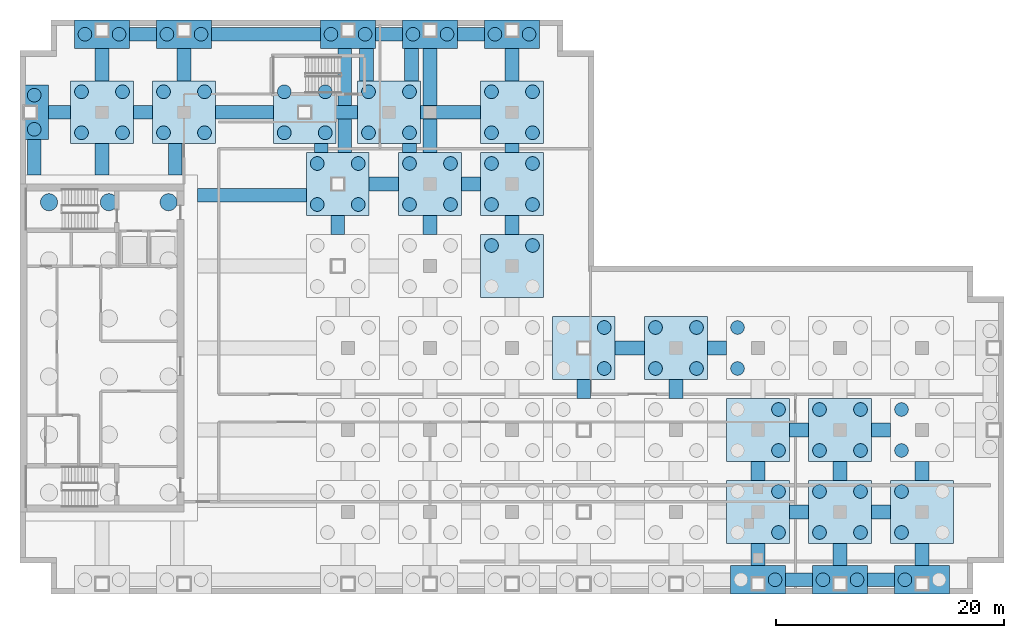
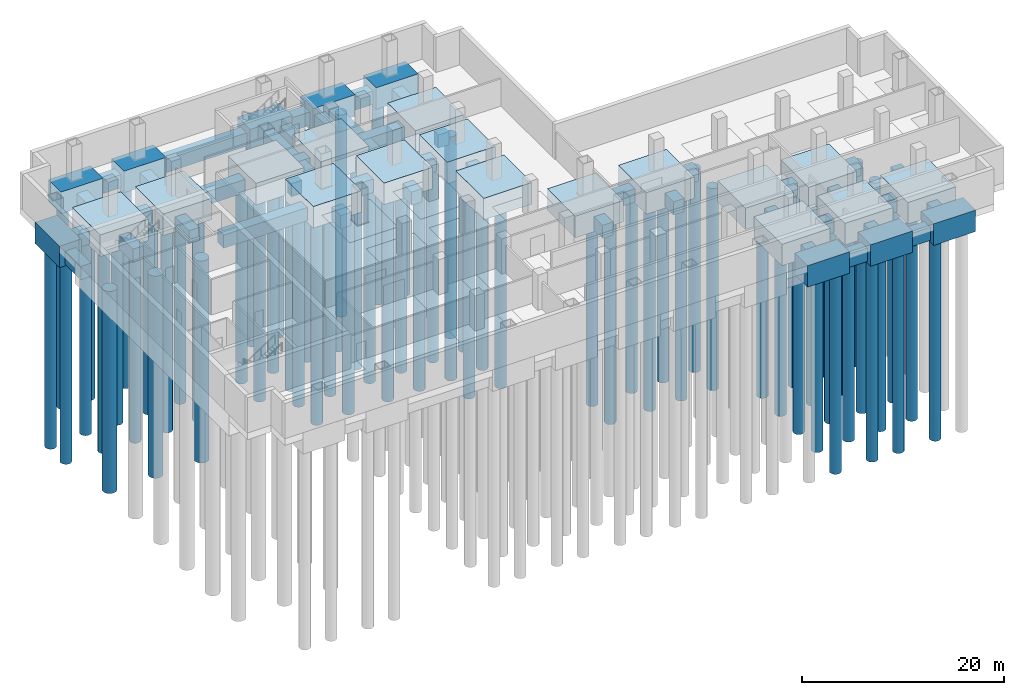
# One storey, part 2 of 11: 77 piles, 69 footings.
"""IFC4 building model written with IfcOpenShell, lengths in metres."""

import ifcopenshell
import ifcopenshell.guid

model = None  # the IFC model being written
_history = None  # IfcOwnerHistory: only IFC2X3 demands one
_inside = {}  # id of a spatial element -> (the spatial element, [elements in it])
_under = {}  # id of a project, library or spatial element -> (it, [spatial elements below it])
_declared = {}  # id of a project -> (the project, [libraries it declares])
_typed = {}  # id of a type object -> (the type object, [elements of that type])
_made_of = {}  # id of a material, layer set ... -> (it, [elements and type objects made of it])


def new_model(schema):
    """Start an empty IFC model of exactly this schema.

    Asked for "IFC4X3", IfcOpenShell would pick the latest addendum, in which some entities
    have other attributes; the version numbers below select the first issue.
    IFC2X3 requires an IfcOwnerHistory on every rooted entity: one is made here for all.
    """
    global model, _history
    if schema == "IFC4X3":
        model = ifcopenshell.file(schema_version=(4, 3, 0, 0))
    else:
        model = ifcopenshell.file(schema=schema)
    _inside.clear()
    _under.clear()
    _declared.clear()
    _typed.clear()
    _made_of.clear()
    _history = None
    if model.schema == "IFC2X3":
        org = make("IfcOrganization", Name="unknown")
        user = make(
            "IfcPersonAndOrganization",
            ThePerson=make("IfcPerson", FamilyName="unknown"),
            TheOrganization=org,
        )
        app = make(
            "IfcApplication",
            ApplicationDeveloper=org,
            Version="unknown",
            ApplicationFullName="unknown",
            ApplicationIdentifier="unknown",
        )
        _history = make(
            "IfcOwnerHistory",
            OwningUser=user,
            OwningApplication=app,
            ChangeAction="ADDED",
            CreationDate=0,
        )
    return model


def make(cls, **values):
    """One entity of the class cls with the attributes given. An attribute that is None is left unset."""
    return model.create_entity(
        cls, **{name: value for name, value in values.items() if value is not None}
    )


def rooted(cls, **values):
    """An entity with a GlobalId (a new one), such as an element, a storey or a relation."""
    return make(cls, GlobalId=ifcopenshell.guid.new(), OwnerHistory=_history, **values)


def si_unit(unit_type, name, prefix=None):
    """IfcSIUnit, for example si_unit("LENGTHUNIT", "METRE", prefix="MILLI")."""
    return make("IfcSIUnit", UnitType=unit_type, Prefix=prefix, Name=name)


def assignment(units):
    """IfcUnitAssignment: the units of a project."""
    return None if units is None else make("IfcUnitAssignment", Units=units)


def point(xyz):
    """IfcCartesianPoint."""
    return None if xyz is None else make("IfcCartesianPoint", Coordinates=xyz)


def direction(xyz):
    """IfcDirection."""
    return None if xyz is None else make("IfcDirection", DirectionRatios=xyz)


def frame(location, z_axis=None, x_axis=None):
    """IfcAxis2Placement3D, a coordinate frame: its origin and axes. An axis left out is left unset."""
    return make(
        "IfcAxis2Placement3D",
        Location=point(location),
        Axis=direction(z_axis),
        RefDirection=direction(x_axis),
    )


def frame_2d(location, x_axis=None):
    """IfcAxis2Placement2D, a coordinate frame in the plane: its origin and x axis."""
    return make(
        "IfcAxis2Placement2D", Location=point(location), RefDirection=direction(x_axis)
    )


def origin():
    """The frame at (0, 0, 0) with its axes left unset."""
    return frame((0.0, 0.0, 0.0))


def origin_2d():
    """The frame at (0, 0) in the plane with its x axis left unset."""
    return frame_2d((0.0, 0.0))


def place(relative_to, where):
    """IfcLocalPlacement: puts the frame where relative to a parent placement (None: the world)."""
    return make(
        "IfcLocalPlacement", PlacementRelTo=relative_to, RelativePlacement=where
    )


def context(
    kind, dimensions, precision=None, world=None, true_north=None, identifier=None
):
    """IfcGeometricRepresentationContext, for example the 3D "Model" context."""
    return make(
        "IfcGeometricRepresentationContext",
        ContextIdentifier=identifier,
        ContextType=kind,
        CoordinateSpaceDimension=dimensions,
        Precision=precision,
        WorldCoordinateSystem=world,
        TrueNorth=true_north,
    )


def subcontext(parent, identifier, kind, view, scale=None):
    """IfcGeometricRepresentationSubContext, for example "Body" below "Model"."""
    return make(
        "IfcGeometricRepresentationSubContext",
        ContextIdentifier=identifier,
        ContextType=kind,
        ParentContext=parent,
        TargetScale=scale,
        TargetView=view,
    )


def project(units=None, contexts=None):
    """IfcProject with its units and contexts."""
    return rooted(
        "IfcProject",
        Name="project",
        RepresentationContexts=contexts,
        UnitsInContext=assignment(units),
    )


def spatial(cls, under=None, at=None, **own):
    """A site, building, storey or space (cls), placed at a placement, below another one or the project."""
    s = rooted(cls, ObjectPlacement=at, **own)
    if under is not None:
        _under.setdefault(under.id(), (under, []))[1].append(s)
    return s


def profile(cls, at=None, kind="AREA", **sizes):
    """A parametric profile (cls). Its sizes go by their IFC names, for example OverallWidth=200.0."""
    return make(cls, ProfileType=kind, Position=at, **sizes)


def rectangle(**sizes):
    """IfcRectangleProfileDef."""
    return profile("IfcRectangleProfileDef", **sizes)


def circle(**sizes):
    """IfcCircleProfileDef."""
    return profile("IfcCircleProfileDef", **sizes)


def extrude(swept, where, along, depth):
    """IfcExtrudedAreaSolid: the profile swept, set in the frame where, extruded along a direction by depth."""
    return make(
        "IfcExtrudedAreaSolid",
        SweptArea=swept,
        Position=where,
        ExtrudedDirection=direction(along),
        Depth=depth,
    )


def shape(context_of_items, identifier, shape_type, items):
    """IfcShapeRepresentation: the items that make up one representation, for example the "Body"."""
    return make(
        "IfcShapeRepresentation",
        ContextOfItems=context_of_items,
        RepresentationIdentifier=identifier,
        RepresentationType=shape_type,
        Items=items,
    )


def material(Name=None, Category=None):
    """IfcMaterial."""
    return make("IfcMaterial", Name=Name, Category=Category)


def material_profile(
    of_material, cross_section, Name=None, Category=None, Priority=None
):
    """IfcMaterialProfile: a cross section and its material."""
    return make(
        "IfcMaterialProfile",
        Name=Name,
        Material=of_material,
        Profile=cross_section,
        Priority=Priority,
        Category=Category,
    )


def profile_set(profiles, Name=None, composite=None):
    """IfcMaterialProfileSet."""
    return make(
        "IfcMaterialProfileSet",
        Name=Name,
        MaterialProfiles=profiles,
        CompositeProfile=composite,
    )


def made_of(thing, what):
    """Note that an element or type object is made of a material, layer set ...; save() writes the relation."""
    if what is not None:
        _made_of.setdefault(what.id(), (what, []))[1].append(thing)
    return thing


def type_object(cls, material=None, **own):
    """A type object (cls), such as IfcWallType, which elements share."""
    return made_of(rooted(cls, **own), material)


def element(
    cls,
    number,
    at=None,
    inside=None,
    cuts=None,
    type_object=None,
    material=None,
    context=None,
    identifier="Body",
    shape_type=None,
    held_by="IfcProductDefinitionShape",
    body=None,
    shapes=None,
    **own,
):
    """One element of the class cls, such as IfcWall. Its Tag is "e" and its number.

    at: its placement. inside: the storey or other place that contains it. cuts: it is an
    opening in that element (IfcRelVoidsElement). A single representation is given by context,
    identifier, shape_type and body (its items); several are given by shapes. held_by: the class
    of the entity that holds the representations. save() writes the other relations.
    """
    e = rooted(cls, Tag="e%d" % number, ObjectPlacement=at, **own)
    if body is not None:
        shapes = [shape(context, identifier, shape_type, body)]
    if shapes is not None:
        e.Representation = make(held_by, Representations=shapes)
    if inside is not None:
        _inside.setdefault(inside.id(), (inside, []))[1].append(e)
    if cuts is not None:
        rooted(
            "IfcRelVoidsElement", RelatingBuildingElement=cuts, RelatedOpeningElement=e
        )
    if type_object is not None:
        _typed.setdefault(type_object.id(), (type_object, []))[1].append(e)
    return made_of(e, material)


def aggregate(whole, parts):
    """IfcRelAggregates: a whole, such as a stair, and the parts it consists of."""
    return rooted("IfcRelAggregates", RelatingObject=whole, RelatedObjects=parts)


def save(model, path):
    """Write the relations noted so far, then the file.

    IfcRelAggregates (storeys below a building ...), IfcRelContainedInSpatialStructure (elements
    in a storey), IfcRelDefinesByType, IfcRelAssociatesMaterial and IfcRelDeclares: one each for
    every whole, place, type object, material and project.
    """
    for whole, parts in _under.values():
        aggregate(whole, parts)
    for where, things in _inside.values():
        rooted(
            "IfcRelContainedInSpatialStructure",
            RelatedElements=things,
            RelatingStructure=where,
        )
    for kind, things in _typed.values():
        rooted("IfcRelDefinesByType", RelatedObjects=things, RelatingType=kind)
    for what, things in _made_of.values():
        rooted("IfcRelAssociatesMaterial", RelatedObjects=things, RelatingMaterial=what)
    for by, libraries in _declared.values():
        rooted("IfcRelDeclares", RelatingContext=by, RelatedDefinitions=libraries)
    model.write(path)


model = new_model("IFC4")

# Units and contexts
model_context = context("Model", 3, precision=1e-05, world=origin(), true_north=direction((0.0, 1.0)))
body_context = subcontext(model_context, "Body", "Model", "MODEL_VIEW")
ifc_project = project(units=[si_unit("LENGTHUNIT", "METRE"), si_unit("AREAUNIT", "SQUARE_METRE"), si_unit("VOLUMEUNIT", "CUBIC_METRE"), si_unit("PLANEANGLEUNIT", "RADIAN"), si_unit("MASSUNIT", "GRAM", prefix="KILO")], contexts=[model_context])

# Site, building, storey
site_placement = place(None, origin())
site = spatial("IfcSite", under=ifc_project, at=site_placement, CompositionType="ELEMENT")
building_placement = place(site_placement, origin())
building = spatial("IfcBuilding", under=site, at=building_placement, Name="Cobrela Telecom Tower", CompositionType="ELEMENT")
storey_placement = place(building_placement, frame((0.0, 0.0, -9.10009765625)))
storey = spatial("IfcBuildingStorey", under=building, at=storey_placement, Name="B2", CompositionType="ELEMENT", Elevation=-9.10009765625)

# Footings
ifc_material = material(Name="Concrete C40/50", Category="concrete")
ifc_material_profile_1 = material_profile(ifc_material, rectangle(XDim=1.199951171875, YDim=1.60009765625, at=origin_2d()), Name="GB 1200x1600")
ifc_profile_set_1 = profile_set([ifc_material_profile_1], Name="Concrete C40/50")
footing_type_1 = type_object("IfcFootingType", Name="FTG-GB-1200", PredefinedType="FOOTING_BEAM", material=ifc_profile_set_1)
footing_1_placement = place(storey_placement, frame((1.25, 36.800048828125, -1.599853515625), z_axis=(0.0, 1.0, 0.0), x_axis=(-1.0, 0.0, 0.0)))
element("IfcFooting", 1, at=footing_1_placement, inside=storey, type_object=footing_type_1, Name="Foundation Tie Grade Beam GB-001", PredefinedType="FOOTING_BEAM", context=body_context, shape_type="SweptSolid", body=[
    extrude(rectangle(XDim=1.199951171875, YDim=1.60009765625, at=origin_2d()), origin(), (0.0, 0.0, 1.0), 3.099853515625),
])
for number, where, z_axis, x_axis, name in (
    (2, (7.199951171875, 36.800048828125, -1.599853515625), (0.0, 1.0, 0.0), (-1.0, 0.0, 0.0), "Foundation Tie Grade Beam GB-003"),
    (3, (13.625, 36.800048828125, -1.599853515625), (0.0, 1.0, 0.0), (-1.0, 0.0, 0.0), "Foundation Tie Grade Beam GB-005"),
):
    element("IfcFooting", number, at=place(storey_placement, frame(where, z_axis=z_axis, x_axis=x_axis)), inside=storey, type_object=footing_type_1, Name=name, PredefinedType="FOOTING_BEAM", context=body_context, shape_type="SweptSolid", body=[
        extrude(rectangle(XDim=1.199951171875, YDim=1.60009765625, at=origin_2d()), origin(), (0.0, 0.0, 1.0), 2.75),
    ])
footing_2_placement = place(storey_placement, frame((15.60009765625, 35.02490234375, -1.599853515625), z_axis=(1.0, 0.0, 0.0), x_axis=(0.0, 1.0, 0.0)))
element("IfcFooting", 4, at=footing_2_placement, inside=storey, type_object=footing_type_1, Name="Foundation Tie Grade Beam GB-007", PredefinedType="FOOTING_BEAM", context=body_context, shape_type="SweptSolid", body=[
    extrude(rectangle(XDim=1.199951171875, YDim=1.60009765625, at=origin_2d()), origin(), (0.0, 0.0, 1.0), 9.5498046875),
])
footing_3_placement = place(storey_placement, frame((2.5, 42.300048828125, -1.599853515625), z_axis=(1.0, 0.0, 0.0), x_axis=(0.0, 1.0, 0.0)))
element("IfcFooting", 5, at=footing_3_placement, inside=storey, type_object=footing_type_1, Name="Foundation Tie Grade Beam GB-011", PredefinedType="FOOTING_BEAM", context=body_context, shape_type="SweptSolid", body=[
    extrude(rectangle(XDim=1.199951171875, YDim=1.60009765625, at=origin_2d()), origin(), (0.0, 0.0, 1.0), 1.949951171875),
])
footing_4_placement = place(storey_placement, frame((7.199951171875, 45.050048828125, -1.599853515625), z_axis=(0.0, 1.0, 0.0), x_axis=(-1.0, 0.0, 0.0)))
element("IfcFooting", 6, at=footing_4_placement, inside=storey, type_object=footing_type_1, Name="Foundation Tie Grade Beam GB-013", PredefinedType="FOOTING_BEAM", context=body_context, shape_type="SweptSolid", body=[
    extrude(rectangle(XDim=1.199951171875, YDim=1.60009765625, at=origin_2d()), origin(), (0.0, 0.0, 1.0), 2.849853515625),
])
footing_5_placement = place(storey_placement, frame((9.949951171875, 42.300048828125, -1.599853515625), z_axis=(1.0, 0.0, 0.0), x_axis=(0.0, 1.0, 0.0)))
element("IfcFooting", 7, at=footing_5_placement, inside=storey, type_object=footing_type_1, Name="Foundation Tie Grade Beam GB-014", PredefinedType="FOOTING_BEAM", context=body_context, shape_type="SweptSolid", body=[
    extrude(rectangle(XDim=1.199951171875, YDim=1.60009765625, at=origin_2d()), origin(), (0.0, 0.0, 1.0), 1.699951171875),
])
footing_6_placement = place(storey_placement, frame((9.60009765625, 49.14990234375, -1.599853515625), z_axis=(1.0, 0.0, 0.0), x_axis=(0.0, 1.0, 0.0)))
element("IfcFooting", 8, at=footing_6_placement, inside=storey, type_object=footing_type_1, Name="Foundation Tie Grade Beam GB-015", PredefinedType="FOOTING_BEAM", context=body_context, shape_type="SweptSolid", body=[
    extrude(rectangle(XDim=1.199951171875, YDim=1.60009765625, at=origin_2d()), origin(), (0.0, 0.0, 1.0), 2.39990234375),
])
footing_7_placement = place(storey_placement, frame((14.39990234375, 45.050048828125, -1.599853515625), z_axis=(0.0, 1.0, 0.0), x_axis=(-1.0, 0.0, 0.0)))
element("IfcFooting", 9, at=footing_7_placement, inside=storey, type_object=footing_type_1, Name="Foundation Tie Grade Beam GB-017", PredefinedType="FOOTING_BEAM", context=body_context, shape_type="SweptSolid", body=[
    extrude(rectangle(XDim=1.199951171875, YDim=1.60009765625, at=origin_2d()), origin(), (0.0, 0.0, 1.0), 2.849853515625),
])
footing_8_placement = place(storey_placement, frame((17.14990234375, 42.300048828125, -1.599853515625), z_axis=(1.0, 0.0, 0.0), x_axis=(0.0, 1.0, 0.0)))
element("IfcFooting", 10, at=footing_8_placement, inside=storey, type_object=footing_type_1, Name="Foundation Tie Grade Beam GB-018", PredefinedType="FOOTING_BEAM", context=body_context, shape_type="SweptSolid", body=[
    extrude(rectangle(XDim=1.199951171875, YDim=1.60009765625, at=origin_2d()), origin(), (0.0, 0.0, 1.0), 5.10009765625),
])
footing_9_placement = place(storey_placement, frame((16.800048828125, 49.14990234375, -1.599853515625), z_axis=(1.0, 0.0, 0.0), x_axis=(0.0, 1.0, 0.0)))
element("IfcFooting", 11, at=footing_9_placement, inside=storey, type_object=footing_type_1, Name="Foundation Tie Grade Beam GB-019", PredefinedType="FOOTING_BEAM", context=body_context, shape_type="SweptSolid", body=[
    extrude(rectangle(XDim=1.199951171875, YDim=1.60009765625, at=origin_2d()), origin(), (0.0, 0.0, 1.0), 9.599853515625),
])
footing_10_placement = place(storey_placement, frame((26.449951171875, 38.75, -1.599853515625), z_axis=(0.0, 1.0, 0.0), x_axis=(-1.0, 0.0, 0.0)))
element("IfcFooting", 12, at=footing_10_placement, inside=storey, type_object=footing_type_1, Name="Foundation Tie Grade Beam GB-020", PredefinedType="FOOTING_BEAM", context=body_context, shape_type="SweptSolid", body=[
    extrude(rectangle(XDim=1.199951171875, YDim=1.60009765625, at=origin_2d()), origin(), (0.0, 0.0, 1.0), 0.800048828125),
])
footing_11_placement = place(storey_placement, frame((27.75, 42.300048828125, -1.599853515625), z_axis=(1.0, 0.0, 0.0), x_axis=(0.0, 1.0, 0.0)))
element("IfcFooting", 13, at=footing_11_placement, inside=storey, type_object=footing_type_1, Name="Foundation Tie Grade Beam GB-021", PredefinedType="FOOTING_BEAM", context=body_context, shape_type="SweptSolid", body=[
    extrude(rectangle(XDim=1.199951171875, YDim=1.60009765625, at=origin_2d()), origin(), (0.0, 0.0, 1.0), 1.89990234375),
])
footing_12_placement = place(storey_placement, frame((27.89990234375, 31.550048828125, -1.599853515625), z_axis=(0.0, 1.0, 0.0), x_axis=(-1.0, 0.0, 0.0)))
element("IfcFooting", 14, at=footing_12_placement, inside=storey, type_object=footing_type_1, Name="Foundation Tie Grade Beam GB-022", PredefinedType="FOOTING_BEAM", context=body_context, shape_type="SweptSolid", body=[
    extrude(rectangle(XDim=1.199951171875, YDim=1.60009765625, at=origin_2d()), origin(), (0.0, 0.0, 1.0), 1.699951171875),
])
footing_13_placement = place(storey_placement, frame((28.52490234375, 38.75, -1.599853515625), z_axis=(0.0, 1.0, 0.0), x_axis=(-1.0, 0.0, 0.0)))
element("IfcFooting", 15, at=footing_13_placement, inside=storey, type_object=footing_type_1, Name="Foundation Tie Grade Beam GB-025", PredefinedType="FOOTING_BEAM", context=body_context, shape_type="SweptSolid", body=[
    extrude(rectangle(XDim=1.199951171875, YDim=1.60009765625, at=origin_2d()), origin(), (0.0, 0.0, 1.0), 9.14990234375),
])
footing_14_placement = place(storey_placement, frame((30.64990234375, 36.0, -1.599853515625), z_axis=(1.0, 0.0, 0.0), x_axis=(0.0, 1.0, 0.0)))
element("IfcFooting", 16, at=footing_14_placement, inside=storey, type_object=footing_type_1, Name="Foundation Tie Grade Beam GB-026", PredefinedType="FOOTING_BEAM", context=body_context, shape_type="SweptSolid", body=[
    extrude(rectangle(XDim=1.199951171875, YDim=1.60009765625, at=origin_2d()), origin(), (0.0, 0.0, 1.0), 2.60009765625),
])
footing_15_placement = place(storey_placement, frame((30.425048828125, 45.050048828125, -1.599853515625), z_axis=(0.0, 1.0, 0.0), x_axis=(-1.0, 0.0, 0.0)))
element("IfcFooting", 17, at=footing_15_placement, inside=storey, type_object=footing_type_1, Name="Foundation Tie Grade Beam GB-034", PredefinedType="FOOTING_BEAM", context=body_context, shape_type="SweptSolid", body=[
    extrude(rectangle(XDim=1.199951171875, YDim=1.60009765625, at=origin_2d()), origin(), (0.0, 0.0, 1.0), 2.849853515625),
])
footing_16_placement = place(storey_placement, frame((31.199951171875, 49.14990234375, -1.599853515625), z_axis=(1.0, 0.0, 0.0), x_axis=(0.0, 1.0, 0.0)))
element("IfcFooting", 18, at=footing_16_placement, inside=storey, type_object=footing_type_1, Name="Foundation Tie Grade Beam GB-035", PredefinedType="FOOTING_BEAM", context=body_context, shape_type="SweptSolid", body=[
    extrude(rectangle(XDim=1.199951171875, YDim=1.60009765625, at=origin_2d()), origin(), (0.0, 0.0, 1.0), 2.400146484375),
])
footing_17_placement = place(storey_placement, frame((34.199951171875, 38.75, -1.599853515625), z_axis=(0.0, 1.0, 0.0), x_axis=(-1.0, 0.0, 0.0)))
element("IfcFooting", 19, at=footing_17_placement, inside=storey, type_object=footing_type_1, Name="Foundation Tie Grade Beam GB-036", PredefinedType="FOOTING_BEAM", context=body_context, shape_type="SweptSolid", body=[
    extrude(rectangle(XDim=1.199951171875, YDim=1.60009765625, at=origin_2d()), origin(), (0.0, 0.0, 1.0), 0.800048828125),
])
footing_18_placement = place(storey_placement, frame((34.375, 45.050048828125, -1.599853515625), z_axis=(0.0, 1.0, 0.0), x_axis=(-1.0, 0.0, 0.0)))
element("IfcFooting", 20, at=footing_18_placement, inside=storey, type_object=footing_type_1, Name="Foundation Tie Grade Beam GB-037", PredefinedType="FOOTING_BEAM", context=body_context, shape_type="SweptSolid", body=[
    extrude(rectangle(XDim=1.199951171875, YDim=1.60009765625, at=origin_2d()), origin(), (0.0, 0.0, 1.0), 2.849853515625),
])
footing_19_placement = place(storey_placement, frame((35.14990234375, 42.300048828125, -1.599853515625), z_axis=(1.0, 0.0, 0.0), x_axis=(0.0, 1.0, 0.0)))
element("IfcFooting", 21, at=footing_19_placement, inside=storey, type_object=footing_type_1, Name="Foundation Tie Grade Beam GB-038", PredefinedType="FOOTING_BEAM", context=body_context, shape_type="SweptSolid", body=[
    extrude(rectangle(XDim=1.199951171875, YDim=1.60009765625, at=origin_2d()), origin(), (0.0, 0.0, 1.0), 5.300048828125),
])
footing_20_placement = place(storey_placement, frame((36.0, 31.550048828125, -1.599853515625), z_axis=(0.0, 1.0, 0.0), x_axis=(-1.0, 0.0, 0.0)))
element("IfcFooting", 22, at=footing_20_placement, inside=storey, type_object=footing_type_1, Name="Foundation Tie Grade Beam GB-047", PredefinedType="FOOTING_BEAM", context=body_context, shape_type="SweptSolid", body=[
    extrude(rectangle(XDim=1.199951171875, YDim=1.60009765625, at=origin_2d()), origin(), (0.0, 0.0, 1.0), 1.699951171875),
])
footing_21_placement = place(storey_placement, frame((36.0, 38.75, -1.599853515625), z_axis=(0.0, 1.0, 0.0), x_axis=(-1.0, 0.0, 0.0)))
element("IfcFooting", 23, at=footing_21_placement, inside=storey, type_object=footing_type_1, Name="Foundation Tie Grade Beam GB-049", PredefinedType="FOOTING_BEAM", context=body_context, shape_type="SweptSolid", body=[
    extrude(rectangle(XDim=1.199951171875, YDim=1.60009765625, at=origin_2d()), origin(), (0.0, 0.0, 1.0), 9.14990234375),
])
footing_22_placement = place(storey_placement, frame((38.75, 36.0, -1.599853515625), z_axis=(1.0, 0.0, 0.0), x_axis=(0.0, 1.0, 0.0)))
element("IfcFooting", 24, at=footing_22_placement, inside=storey, type_object=footing_type_1, Name="Foundation Tie Grade Beam GB-050", PredefinedType="FOOTING_BEAM", context=body_context, shape_type="SweptSolid", body=[
    extrude(rectangle(XDim=1.199951171875, YDim=1.60009765625, at=origin_2d()), origin(), (0.0, 0.0, 1.0), 1.699951171875),
])
footing_23_placement = place(storey_placement, frame((38.39990234375, 49.14990234375, -1.599853515625), z_axis=(1.0, 0.0, 0.0), x_axis=(0.0, 1.0, 0.0)))
element("IfcFooting", 25, at=footing_23_placement, inside=storey, type_object=footing_type_1, Name="Foundation Tie Grade Beam GB-051", PredefinedType="FOOTING_BEAM", context=body_context, shape_type="SweptSolid", body=[
    extrude(rectangle(XDim=1.199951171875, YDim=1.60009765625, at=origin_2d()), origin(), (0.0, 0.0, 1.0), 2.400146484375),
])
footing_24_placement = place(storey_placement, frame((43.199951171875, 31.550048828125, -1.599853515625), z_axis=(0.0, 1.0, 0.0), x_axis=(-1.0, 0.0, 0.0)))
element("IfcFooting", 26, at=footing_24_placement, inside=storey, type_object=footing_type_1, Name="Foundation Tie Grade Beam GB-060", PredefinedType="FOOTING_BEAM", context=body_context, shape_type="SweptSolid", body=[
    extrude(rectangle(XDim=1.199951171875, YDim=1.60009765625, at=origin_2d()), origin(), (0.0, 0.0, 1.0), 1.699951171875),
])
footing_25_placement = place(storey_placement, frame((43.199951171875, 38.75, -1.599853515625), z_axis=(0.0, 1.0, 0.0), x_axis=(-1.0, 0.0, 0.0)))
element("IfcFooting", 27, at=footing_25_placement, inside=storey, type_object=footing_type_1, Name="Foundation Tie Grade Beam GB-061", PredefinedType="FOOTING_BEAM", context=body_context, shape_type="SweptSolid", body=[
    extrude(rectangle(XDim=1.199951171875, YDim=1.60009765625, at=origin_2d()), origin(), (0.0, 0.0, 1.0), 0.800048828125),
])
footing_26_placement = place(storey_placement, frame((43.199951171875, 45.050048828125, -1.599853515625), z_axis=(0.0, 1.0, 0.0), x_axis=(-1.0, 0.0, 0.0)))
element("IfcFooting", 28, at=footing_26_placement, inside=storey, type_object=footing_type_1, Name="Foundation Tie Grade Beam GB-062", PredefinedType="FOOTING_BEAM", context=body_context, shape_type="SweptSolid", body=[
    extrude(rectangle(XDim=1.199951171875, YDim=1.60009765625, at=origin_2d()), origin(), (0.0, 0.0, 1.0), 2.849853515625),
])
footing_27_placement = place(storey_placement, frame((49.5, 17.14990234375, -1.599853515625), z_axis=(0.0, 1.0, 0.0), x_axis=(-1.0, 0.0, 0.0)))
element("IfcFooting", 29, at=footing_27_placement, inside=storey, type_object=footing_type_1, Name="Foundation Tie Grade Beam GB-067", PredefinedType="FOOTING_BEAM", context=body_context, shape_type="SweptSolid", body=[
    extrude(rectangle(XDim=1.199951171875, YDim=1.60009765625, at=origin_2d()), origin(), (0.0, 0.0, 1.0), 1.7001953125),
])
footing_28_placement = place(storey_placement, frame((52.25, 21.60009765625, -1.599853515625), z_axis=(1.0, 0.0, 0.0), x_axis=(0.0, 1.0, 0.0)))
element("IfcFooting", 30, at=footing_28_placement, inside=storey, type_object=footing_type_1, Name="Foundation Tie Grade Beam GB-069", PredefinedType="FOOTING_BEAM", context=body_context, shape_type="SweptSolid", body=[
    extrude(rectangle(XDim=1.199951171875, YDim=1.60009765625, at=origin_2d()), origin(), (0.0, 0.0, 1.0), 2.60009765625),
])
footing_29_placement = place(storey_placement, frame((57.60009765625, 17.14990234375, -1.599853515625), z_axis=(0.0, 1.0, 0.0), x_axis=(-1.0, 0.0, 0.0)))
element("IfcFooting", 31, at=footing_29_placement, inside=storey, type_object=footing_type_1, Name="Foundation Tie Grade Beam GB-074", PredefinedType="FOOTING_BEAM", context=body_context, shape_type="SweptSolid", body=[
    extrude(rectangle(XDim=1.199951171875, YDim=1.60009765625, at=origin_2d()), origin(), (0.0, 0.0, 1.0), 1.7001953125),
])
footing_30_placement = place(storey_placement, frame((60.35009765625, 21.60009765625, -1.599853515625), z_axis=(1.0, 0.0, 0.0), x_axis=(0.0, 1.0, 0.0)))
element("IfcFooting", 32, at=footing_30_placement, inside=storey, type_object=footing_type_1, Name="Foundation Tie Grade Beam GB-076", PredefinedType="FOOTING_BEAM", context=body_context, shape_type="SweptSolid", body=[
    extrude(rectangle(XDim=1.199951171875, YDim=1.60009765625, at=origin_2d()), origin(), (0.0, 0.0, 1.0), 1.699951171875),
])
footing_31_placement = place(storey_placement, frame((64.800048828125, 2.5, -1.599853515625), z_axis=(0.0, 1.0, 0.0), x_axis=(-1.0, 0.0, 0.0)))
element("IfcFooting", 33, at=footing_31_placement, inside=storey, type_object=footing_type_1, Name="Foundation Tie Grade Beam GB-077", PredefinedType="FOOTING_BEAM", context=body_context, shape_type="SweptSolid", body=[
    extrude(rectangle(XDim=1.199951171875, YDim=1.60009765625, at=origin_2d()), origin(), (0.0, 0.0, 1.0), 1.949951171875),
])
footing_32_placement = place(storey_placement, frame((67.199951171875, 1.25, -1.599853515625), z_axis=(1.0, 0.0, 0.0), x_axis=(0.0, 1.0, 0.0)))
element("IfcFooting", 34, at=footing_32_placement, inside=storey, type_object=footing_type_1, Name="Foundation Tie Grade Beam GB-078", PredefinedType="FOOTING_BEAM", context=body_context, shape_type="SweptSolid", body=[
    extrude(rectangle(XDim=1.199951171875, YDim=1.60009765625, at=origin_2d()), origin(), (0.0, 0.0, 1.0), 2.400146484375),
])
for number, where, z_axis, x_axis, name in (
    (35, (64.800048828125, 9.949951171875, -1.599853515625), (0.0, 1.0, 0.0), (-1.0, 0.0, 0.0), "Foundation Tie Grade Beam GB-079"),
    (36, (67.550048828125, 7.199951171875, -1.599853515625), (1.0, 0.0, 0.0), (0.0, 1.0, 0.0), "Foundation Tie Grade Beam GB-080"),
    (37, (67.550048828125, 14.39990234375, -1.599853515625), (1.0, 0.0, 0.0), (0.0, 1.0, 0.0), "Foundation Tie Grade Beam GB-082"),
):
    element("IfcFooting", number, at=place(storey_placement, frame(where, z_axis=z_axis, x_axis=x_axis)), inside=storey, type_object=footing_type_1, Name=name, PredefinedType="FOOTING_BEAM", context=body_context, shape_type="SweptSolid", body=[
        extrude(rectangle(XDim=1.199951171875, YDim=1.60009765625, at=origin_2d()), origin(), (0.0, 0.0, 1.0), 1.699951171875),
    ])
footing_33_placement = place(storey_placement, frame((72.0, 2.5, -1.599853515625), z_axis=(0.0, 1.0, 0.0), x_axis=(-1.0, 0.0, 0.0)))
element("IfcFooting", 38, at=footing_33_placement, inside=storey, type_object=footing_type_1, Name="Foundation Tie Grade Beam GB-084", PredefinedType="FOOTING_BEAM", context=body_context, shape_type="SweptSolid", body=[
    extrude(rectangle(XDim=1.199951171875, YDim=1.60009765625, at=origin_2d()), origin(), (0.0, 0.0, 1.0), 1.949951171875),
])
footing_34_placement = place(storey_placement, frame((74.39990234375, 1.25, -1.599853515625), z_axis=(1.0, 0.0, 0.0), x_axis=(0.0, 1.0, 0.0)))
element("IfcFooting", 39, at=footing_34_placement, inside=storey, type_object=footing_type_1, Name="Foundation Tie Grade Beam GB-085", PredefinedType="FOOTING_BEAM", context=body_context, shape_type="SweptSolid", body=[
    extrude(rectangle(XDim=1.199951171875, YDim=1.60009765625, at=origin_2d()), origin(), (0.0, 0.0, 1.0), 2.400146484375),
])
for number, where, z_axis, x_axis, name in (
    (40, (72.0, 9.949951171875, -1.599853515625), (0.0, 1.0, 0.0), (-1.0, 0.0, 0.0), "Foundation Tie Grade Beam GB-086"),
    (41, (74.75, 7.199951171875, -1.599853515625), (1.0, 0.0, 0.0), (0.0, 1.0, 0.0), "Foundation Tie Grade Beam GB-087"),
    (42, (74.75, 14.39990234375, -1.599853515625), (1.0, 0.0, 0.0), (0.0, 1.0, 0.0), "Foundation Tie Grade Beam GB-089"),
):
    element("IfcFooting", number, at=place(storey_placement, frame(where, z_axis=z_axis, x_axis=x_axis)), inside=storey, type_object=footing_type_1, Name=name, PredefinedType="FOOTING_BEAM", context=body_context, shape_type="SweptSolid", body=[
        extrude(rectangle(XDim=1.199951171875, YDim=1.60009765625, at=origin_2d()), origin(), (0.0, 0.0, 1.0), 1.699951171875),
    ])
footing_35_placement = place(storey_placement, frame((79.199951171875, 2.5, -1.599853515625), z_axis=(0.0, 1.0, 0.0), x_axis=(-1.0, 0.0, 0.0)))
element("IfcFooting", 43, at=footing_35_placement, inside=storey, type_object=footing_type_1, Name="Foundation Tie Grade Beam GB-091", PredefinedType="FOOTING_BEAM", context=body_context, shape_type="SweptSolid", body=[
    extrude(rectangle(XDim=1.199951171875, YDim=1.60009765625, at=origin_2d()), origin(), (0.0, 0.0, 1.0), 1.949951171875),
])
footing_36_placement = place(storey_placement, frame((79.199951171875, 9.949951171875, -1.599853515625), z_axis=(0.0, 1.0, 0.0), x_axis=(-1.0, 0.0, 0.0)))
element("IfcFooting", 44, at=footing_36_placement, inside=storey, type_object=footing_type_1, Name="Foundation Tie Grade Beam GB-092", PredefinedType="FOOTING_BEAM", context=body_context, shape_type="SweptSolid", body=[
    extrude(rectangle(XDim=1.199951171875, YDim=1.60009765625, at=origin_2d()), origin(), (0.0, 0.0, 1.0), 1.699951171875),
])
footing_type_2 = type_object("IfcFootingType", Name="FTG-PC-2P-EW", PredefinedType="PILE_CAP", material=ifc_material)
for number, where, z_axis, x_axis, name in (
    (45, (7.199951171875, 49.14990234375, -2.599853515625), (0.0, 0.0, 1.0), (1.0, 0.0, 0.0), "Reinforced Concrete Pile Cap FTG-PC-04"),
    (46, (14.39990234375, 49.14990234375, -2.599853515625), (0.0, 0.0, 1.0), (1.0, 0.0, 0.0), "Reinforced Concrete Pile Cap FTG-PC-07"),
    (47, (28.800048828125, 49.14990234375, -2.599853515625), (0.0, 0.0, 1.0), (1.0, 0.0, 0.0), "Reinforced Concrete Pile Cap FTG-PC-15"),
    (48, (36.0, 49.14990234375, -2.599853515625), (0.0, 0.0, 1.0), (1.0, 0.0, 0.0), "Reinforced Concrete Pile Cap FTG-PC-24"),
    (49, (43.199951171875, 49.14990234375, -2.599853515625), (0.0, 0.0, 1.0), (1.0, 0.0, 0.0), "Reinforced Concrete Pile Cap FTG-PC-32"),
    (50, (64.800048828125, 1.25, -2.599853515625), (0.0, 0.0, 1.0), (1.0, 0.0, 0.0), "Reinforced Concrete Pile Cap FTG-PC-41"),
    (51, (72.0, 1.25, -2.599853515625), (0.0, 0.0, 1.0), (1.0, 0.0, 0.0), "Reinforced Concrete Pile Cap FTG-PC-45"),
    (52, (79.199951171875, 1.25, -2.599853515625), (0.0, 0.0, 1.0), (1.0, 0.0, 0.0), "Reinforced Concrete Pile Cap FTG-PC-49"),
):
    element("IfcFooting", number, at=place(storey_placement, frame(where, z_axis=z_axis, x_axis=x_axis)), inside=storey, type_object=footing_type_2, Name=name, PredefinedType="PILE_CAP", context=body_context, shape_type="SweptSolid", body=[
        extrude(rectangle(XDim=4.800048828125, YDim=2.5, at=origin_2d()), origin(), (0.0, 0.0, 1.0), 2.60009765625),
    ])
footing_type_3 = type_object("IfcFootingType", Name="FTG-PC-2P-NS", PredefinedType="PILE_CAP", material=ifc_material)
footing_37_placement = place(storey_placement, frame((1.25, 42.300048828125, -2.599853515625), z_axis=(0.0, 0.0, 1.0), x_axis=(1.0, 0.0, 0.0)))
element("IfcFooting", 53, at=footing_37_placement, inside=storey, type_object=footing_type_3, Name="Reinforced Concrete Pile Cap FTG-PC-01", PredefinedType="PILE_CAP", context=body_context, shape_type="SweptSolid", body=[
    extrude(rectangle(XDim=2.5, YDim=4.800048828125, at=origin_2d()), origin(), (0.0, 0.0, 1.0), 2.60009765625),
])
footing_type_4 = type_object("IfcFootingType", Name="FTG-PC-4P", PredefinedType="PILE_CAP", material=ifc_material)
for number, where, z_axis, x_axis, name in (
    (54, (7.199951171875, 42.300048828125, -2.599853515625), (0.0, 0.0, 1.0), (1.0, 0.0, 0.0), "Reinforced Concrete Pile Cap FTG-PC-03"),
    (55, (14.39990234375, 42.300048828125, -2.599853515625), (0.0, 0.0, 1.0), (1.0, 0.0, 0.0), "Reinforced Concrete Pile Cap FTG-PC-06"),
    (56, (25.0, 42.300048828125, -2.599853515625), (0.0, 0.0, 1.0), (1.0, 0.0, 0.0), "Reinforced Concrete Pile Cap FTG-PC-08"),
    (57, (27.89990234375, 36.0, -2.599853515625), (0.0, 0.0, 1.0), (1.0, 0.0, 0.0), "Reinforced Concrete Pile Cap FTG-PC-10"),
    (58, (32.39990234375, 42.300048828125, -2.599853515625), (0.0, 0.0, 1.0), (1.0, 0.0, 0.0), "Reinforced Concrete Pile Cap FTG-PC-16"),
    (59, (36.0, 36.0, -2.599853515625), (0.0, 0.0, 1.0), (1.0, 0.0, 0.0), "Reinforced Concrete Pile Cap FTG-PC-22"),
    (60, (43.199951171875, 28.800048828125, -2.599853515625), (0.0, 0.0, 1.0), (1.0, 0.0, 0.0), "Reinforced Concrete Pile Cap FTG-PC-29"),
    (61, (43.199951171875, 36.0, -2.599853515625), (0.0, 0.0, 1.0), (1.0, 0.0, 0.0), "Reinforced Concrete Pile Cap FTG-PC-30"),
    (62, (43.199951171875, 42.300048828125, -2.599853515625), (0.0, 0.0, 1.0), (1.0, 0.0, 0.0), "Reinforced Concrete Pile Cap FTG-PC-31"),
    (63, (49.5, 21.60009765625, -2.599853515625), (0.0, 0.0, 1.0), (1.0, 0.0, 0.0), "Reinforced Concrete Pile Cap FTG-PC-36"),
    (64, (57.60009765625, 21.60009765625, -2.599853515625), (0.0, 0.0, 1.0), (1.0, 0.0, 0.0), "Reinforced Concrete Pile Cap FTG-PC-40"),
    (65, (64.800048828125, 7.199951171875, -2.599853515625), (0.0, 0.0, 1.0), (1.0, 0.0, 0.0), "Reinforced Concrete Pile Cap FTG-PC-42"),
    (66, (64.800048828125, 14.39990234375, -2.599853515625), (0.0, 0.0, 1.0), (1.0, 0.0, 0.0), "Reinforced Concrete Pile Cap FTG-PC-43"),
    (67, (72.0, 7.199951171875, -2.599853515625), (0.0, 0.0, 1.0), (1.0, 0.0, 0.0), "Reinforced Concrete Pile Cap FTG-PC-46"),
    (68, (72.0, 14.39990234375, -2.599853515625), (0.0, 0.0, 1.0), (1.0, 0.0, 0.0), "Reinforced Concrete Pile Cap FTG-PC-47"),
    (69, (79.199951171875, 7.199951171875, -2.599853515625), (0.0, 0.0, 1.0), (1.0, 0.0, 0.0), "Reinforced Concrete Pile Cap FTG-PC-50"),
):
    element("IfcFooting", number, at=place(storey_placement, frame(where, z_axis=z_axis, x_axis=x_axis)), inside=storey, type_object=footing_type_4, Name=name, PredefinedType="PILE_CAP", context=body_context, shape_type="SweptSolid", body=[
        extrude(rectangle(XDim=5.5, YDim=5.5, at=origin_2d()), origin(), (0.0, 0.0, 1.0), 2.60009765625),
    ])

# Piles
ifc_material_profile_2 = material_profile(ifc_material, circle(Radius=0.60009765625, at=origin_2d()), Name="BORED PILE D1200")
ifc_profile_set_2 = profile_set([ifc_material_profile_2], Name="Concrete C40/50")
pile_type_1 = type_object("IfcPileType", Name="PILE-BORED-1200", PredefinedType="BORED", material=ifc_profile_set_2)
for number, where, z_axis, x_axis, name in (
    (70, (1.25, 40.800048828125, -2.5), (0.0, 0.0, -1.0), (1.0, 0.0, 0.0), "Bored Pile P2-019"),
    (71, (1.25, 43.800048828125, -2.5), (0.0, 0.0, -1.0), (1.0, 0.0, 0.0), "Bored Pile P2-020"),
    (72, (5.39990234375, 40.5, -2.5), (0.0, 0.0, -1.0), (1.0, 0.0, 0.0), "Bored Pile P2-023"),
    (73, (9.0, 40.5, -2.5), (0.0, 0.0, -1.0), (1.0, 0.0, 0.0), "Bored Pile P2-024"),
    (74, (5.39990234375, 44.10009765625, -2.5), (0.0, 0.0, -1.0), (1.0, 0.0, 0.0), "Bored Pile P2-025"),
    (75, (9.0, 44.10009765625, -2.5), (0.0, 0.0, -1.0), (1.0, 0.0, 0.0), "Bored Pile P2-026"),
    (76, (5.699951171875, 49.14990234375, -2.5), (0.0, 0.0, -1.0), (1.0, 0.0, 0.0), "Bored Pile P2-027"),
    (77, (8.699951171875, 49.14990234375, -2.5), (0.0, 0.0, -1.0), (1.0, 0.0, 0.0), "Bored Pile P2-028"),
    (78, (12.60009765625, 40.5, -2.5), (0.0, 0.0, -1.0), (1.0, 0.0, 0.0), "Bored Pile P2-031"),
    (79, (16.199951171875, 40.5, -2.5), (0.0, 0.0, -1.0), (1.0, 0.0, 0.0), "Bored Pile P2-032"),
    (80, (12.60009765625, 44.10009765625, -2.5), (0.0, 0.0, -1.0), (1.0, 0.0, 0.0), "Bored Pile P2-033"),
    (81, (16.199951171875, 44.10009765625, -2.5), (0.0, 0.0, -1.0), (1.0, 0.0, 0.0), "Bored Pile P2-034"),
    (82, (12.89990234375, 49.14990234375, -2.5), (0.0, 0.0, -1.0), (1.0, 0.0, 0.0), "Bored Pile P2-035"),
    (83, (15.89990234375, 49.14990234375, -2.5), (0.0, 0.0, -1.0), (1.0, 0.0, 0.0), "Bored Pile P2-036"),
    (84, (23.199951171875, 40.5, -2.5), (0.0, 0.0, -1.0), (1.0, 0.0, 0.0), "Bored Pile P2-037"),
    (85, (26.800048828125, 40.5, -2.5), (0.0, 0.0, -1.0), (1.0, 0.0, 0.0), "Bored Pile P2-038"),
    (86, (23.199951171875, 44.10009765625, -2.5), (0.0, 0.0, -1.0), (1.0, 0.0, 0.0), "Bored Pile P2-039"),
    (87, (26.800048828125, 44.10009765625, -2.5), (0.0, 0.0, -1.0), (1.0, 0.0, 0.0), "Bored Pile P2-040"),
    (88, (26.10009765625, 34.199951171875, -2.5), (0.0, 0.0, -1.0), (1.0, 0.0, 0.0), "Bored Pile P2-045"),
    (89, (29.699951171875, 34.199951171875, -2.5), (0.0, 0.0, -1.0), (1.0, 0.0, 0.0), "Bored Pile P2-046"),
    (90, (26.10009765625, 37.800048828125, -2.5), (0.0, 0.0, -1.0), (1.0, 0.0, 0.0), "Bored Pile P2-047"),
    (91, (29.699951171875, 37.800048828125, -2.5), (0.0, 0.0, -1.0), (1.0, 0.0, 0.0), "Bored Pile P2-048"),
    (92, (27.300048828125, 49.14990234375, -2.5), (0.0, 0.0, -1.0), (1.0, 0.0, 0.0), "Bored Pile P2-063"),
    (93, (30.300048828125, 49.14990234375, -2.5), (0.0, 0.0, -1.0), (1.0, 0.0, 0.0), "Bored Pile P2-064"),
    (94, (30.60009765625, 40.5, -2.5), (0.0, 0.0, -1.0), (1.0, 0.0, 0.0), "Bored Pile P2-065"),
    (95, (34.199951171875, 40.5, -2.5), (0.0, 0.0, -1.0), (1.0, 0.0, 0.0), "Bored Pile P2-066"),
    (96, (30.60009765625, 44.10009765625, -2.5), (0.0, 0.0, -1.0), (1.0, 0.0, 0.0), "Bored Pile P2-067"),
    (97, (34.199951171875, 44.10009765625, -2.5), (0.0, 0.0, -1.0), (1.0, 0.0, 0.0), "Bored Pile P2-068"),
    (98, (34.199951171875, 34.199951171875, -2.5), (0.0, 0.0, -1.0), (1.0, 0.0, 0.0), "Bored Pile P2-087"),
    (99, (37.800048828125, 34.199951171875, -2.5), (0.0, 0.0, -1.0), (1.0, 0.0, 0.0), "Bored Pile P2-088"),
    (100, (34.199951171875, 37.800048828125, -2.5), (0.0, 0.0, -1.0), (1.0, 0.0, 0.0), "Bored Pile P2-089"),
    (101, (37.800048828125, 37.800048828125, -2.5), (0.0, 0.0, -1.0), (1.0, 0.0, 0.0), "Bored Pile P2-090"),
    (102, (34.5, 49.14990234375, -2.5), (0.0, 0.0, -1.0), (1.0, 0.0, 0.0), "Bored Pile P2-091"),
    (103, (37.5, 49.14990234375, -2.5), (0.0, 0.0, -1.0), (1.0, 0.0, 0.0), "Bored Pile P2-092"),
    (104, (41.39990234375, 30.60009765625, -2.5), (0.0, 0.0, -1.0), (1.0, 0.0, 0.0), "Bored Pile P2-109"),
    (105, (45.0, 30.60009765625, -2.5), (0.0, 0.0, -1.0), (1.0, 0.0, 0.0), "Bored Pile P2-110"),
    (106, (41.39990234375, 34.199951171875, -2.5), (0.0, 0.0, -1.0), (1.0, 0.0, 0.0), "Bored Pile P2-111"),
    (107, (45.0, 34.199951171875, -2.5), (0.0, 0.0, -1.0), (1.0, 0.0, 0.0), "Bored Pile P2-112"),
    (108, (41.39990234375, 37.800048828125, -2.5), (0.0, 0.0, -1.0), (1.0, 0.0, 0.0), "Bored Pile P2-113"),
    (109, (45.0, 37.800048828125, -2.5), (0.0, 0.0, -1.0), (1.0, 0.0, 0.0), "Bored Pile P2-114"),
    (110, (41.39990234375, 40.5, -2.5), (0.0, 0.0, -1.0), (1.0, 0.0, 0.0), "Bored Pile P2-115"),
    (111, (45.0, 40.5, -2.5), (0.0, 0.0, -1.0), (1.0, 0.0, 0.0), "Bored Pile P2-116"),
    (112, (41.39990234375, 44.10009765625, -2.5), (0.0, 0.0, -1.0), (1.0, 0.0, 0.0), "Bored Pile P2-117"),
    (113, (45.0, 44.10009765625, -2.5), (0.0, 0.0, -1.0), (1.0, 0.0, 0.0), "Bored Pile P2-118"),
    (114, (41.699951171875, 49.14990234375, -2.5), (0.0, 0.0, -1.0), (1.0, 0.0, 0.0), "Bored Pile P2-119"),
    (115, (44.699951171875, 49.14990234375, -2.5), (0.0, 0.0, -1.0), (1.0, 0.0, 0.0), "Bored Pile P2-120"),
    (116, (51.300048828125, 19.800048828125, -2.5), (0.0, 0.0, -1.0), (1.0, 0.0, 0.0), "Bored Pile P2-132"),
    (117, (51.300048828125, 23.39990234375, -2.5), (0.0, 0.0, -1.0), (1.0, 0.0, 0.0), "Bored Pile P2-134"),
    (118, (55.800048828125, 19.800048828125, -2.5), (0.0, 0.0, -1.0), (1.0, 0.0, 0.0), "Bored Pile P2-145"),
    (119, (59.39990234375, 19.800048828125, -2.5), (0.0, 0.0, -1.0), (1.0, 0.0, 0.0), "Bored Pile P2-146"),
    (120, (55.800048828125, 23.39990234375, -2.5), (0.0, 0.0, -1.0), (1.0, 0.0, 0.0), "Bored Pile P2-147"),
    (121, (59.39990234375, 23.39990234375, -2.5), (0.0, 0.0, -1.0), (1.0, 0.0, 0.0), "Bored Pile P2-148"),
    (122, (66.300048828125, 1.25, -2.5), (0.0, 0.0, -1.0), (1.0, 0.0, 0.0), "Bored Pile P2-150"),
    (123, (66.60009765625, 5.39990234375, -2.5), (0.0, 0.0, -1.0), (1.0, 0.0, 0.0), "Bored Pile P2-152"),
    (124, (66.60009765625, 9.0, -2.5), (0.0, 0.0, -1.0), (1.0, 0.0, 0.0), "Bored Pile P2-154"),
    (125, (66.60009765625, 12.60009765625, -2.5), (0.0, 0.0, -1.0), (1.0, 0.0, 0.0), "Bored Pile P2-156"),
    (126, (66.60009765625, 16.199951171875, -2.5), (0.0, 0.0, -1.0), (1.0, 0.0, 0.0), "Bored Pile P2-158"),
    (127, (63.0, 19.800048828125, -2.5), (0.0, 0.0, -1.0), (1.0, 0.0, 0.0), "Bored Pile P2-159"),
    (128, (63.0, 23.39990234375, -2.5), (0.0, 0.0, -1.0), (1.0, 0.0, 0.0), "Bored Pile P2-161"),
    (129, (70.5, 1.25, -2.5), (0.0, 0.0, -1.0), (1.0, 0.0, 0.0), "Bored Pile P2-163"),
    (130, (73.5, 1.25, -2.5), (0.0, 0.0, -1.0), (1.0, 0.0, 0.0), "Bored Pile P2-164"),
    (131, (70.199951171875, 5.39990234375, -2.5), (0.0, 0.0, -1.0), (1.0, 0.0, 0.0), "Bored Pile P2-165"),
    (132, (73.800048828125, 5.39990234375, -2.5), (0.0, 0.0, -1.0), (1.0, 0.0, 0.0), "Bored Pile P2-166"),
    (133, (70.199951171875, 9.0, -2.5), (0.0, 0.0, -1.0), (1.0, 0.0, 0.0), "Bored Pile P2-167"),
    (134, (73.800048828125, 9.0, -2.5), (0.0, 0.0, -1.0), (1.0, 0.0, 0.0), "Bored Pile P2-168"),
    (135, (70.199951171875, 12.60009765625, -2.5), (0.0, 0.0, -1.0), (1.0, 0.0, 0.0), "Bored Pile P2-169"),
    (136, (73.800048828125, 12.60009765625, -2.5), (0.0, 0.0, -1.0), (1.0, 0.0, 0.0), "Bored Pile P2-170"),
    (137, (70.199951171875, 16.199951171875, -2.5), (0.0, 0.0, -1.0), (1.0, 0.0, 0.0), "Bored Pile P2-171"),
    (138, (73.800048828125, 16.199951171875, -2.5), (0.0, 0.0, -1.0), (1.0, 0.0, 0.0), "Bored Pile P2-172"),
    (139, (77.699951171875, 1.25, -2.5), (0.0, 0.0, -1.0), (1.0, 0.0, 0.0), "Bored Pile P2-177"),
    (140, (77.39990234375, 5.39990234375, -2.5), (0.0, 0.0, -1.0), (1.0, 0.0, 0.0), "Bored Pile P2-179"),
    (141, (77.39990234375, 9.0, -2.5), (0.0, 0.0, -1.0), (1.0, 0.0, 0.0), "Bored Pile P2-181"),
    (142, (77.39990234375, 12.60009765625, -2.5), (0.0, 0.0, -1.0), (1.0, 0.0, 0.0), "Bored Pile P2-183"),
    (143, (77.39990234375, 16.199951171875, -2.5), (0.0, 0.0, -1.0), (1.0, 0.0, 0.0), "Bored Pile P2-185"),
):
    element("IfcPile", number, at=place(storey_placement, frame(where, z_axis=z_axis, x_axis=x_axis)), inside=storey, type_object=pile_type_1, Name=name, PredefinedType="BORED", context=body_context, shape_type="SweptSolid", body=[
        extrude(circle(Radius=0.60009765625, at=origin_2d()), origin(), (0.0, 0.0, 1.0), 24.39990234375),
    ])
ifc_material_profile_3 = material_profile(ifc_material, circle(Radius=0.75, at=origin_2d()), Name="BORED PILE D1500")
ifc_profile_set_3 = profile_set([ifc_material_profile_3], Name="Concrete C40/50")
pile_type_2 = type_object("IfcPileType", Name="PILE-BORED-1500", PredefinedType="BORED", material=ifc_profile_set_3)
for number, where, z_axis, x_axis, name in (
    (144, (2.550048828125, 34.39990234375, -2.5), (0.0, 0.0, -1.0), (1.0, 0.0, 0.0), "Core Bored Pile P1-06"),
    (145, (7.800048828125, 34.39990234375, -2.5), (0.0, 0.0, -1.0), (1.0, 0.0, 0.0), "Core Bored Pile P1-12"),
    (146, (13.050048828125, 34.39990234375, -2.5), (0.0, 0.0, -1.0), (1.0, 0.0, 0.0), "Core Bored Pile P1-18"),
):
    element("IfcPile", number, at=place(storey_placement, frame(where, z_axis=z_axis, x_axis=x_axis)), inside=storey, type_object=pile_type_2, Name=name, PredefinedType="BORED", context=body_context, shape_type="SweptSolid", body=[
        extrude(circle(Radius=0.75, at=origin_2d()), origin(), (0.0, 0.0, 1.0), 24.39990234375),
    ])

save(model, "model.ifc")
